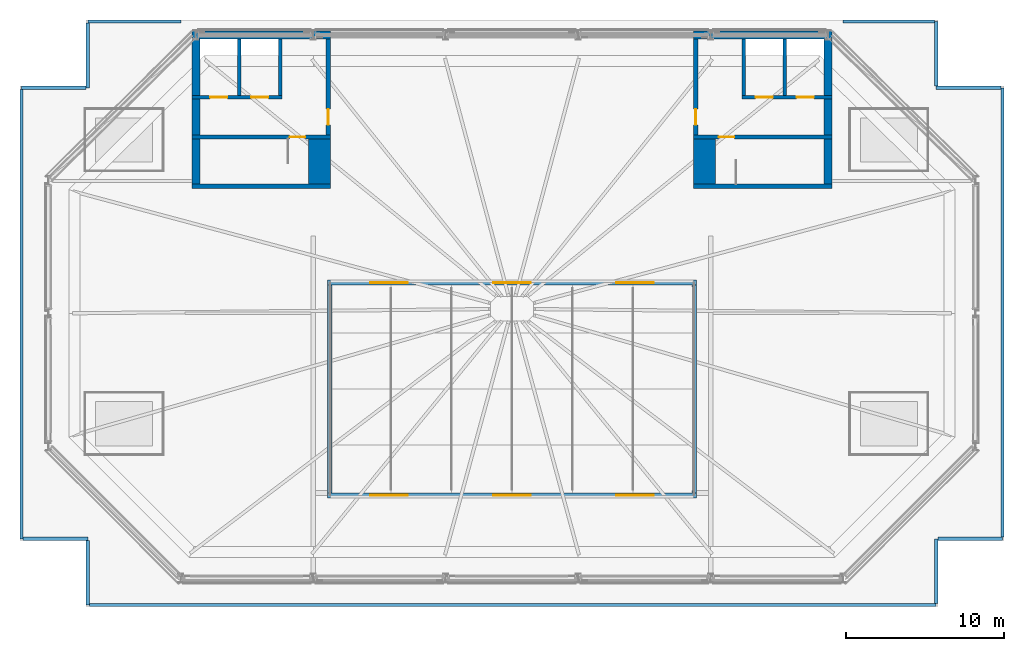
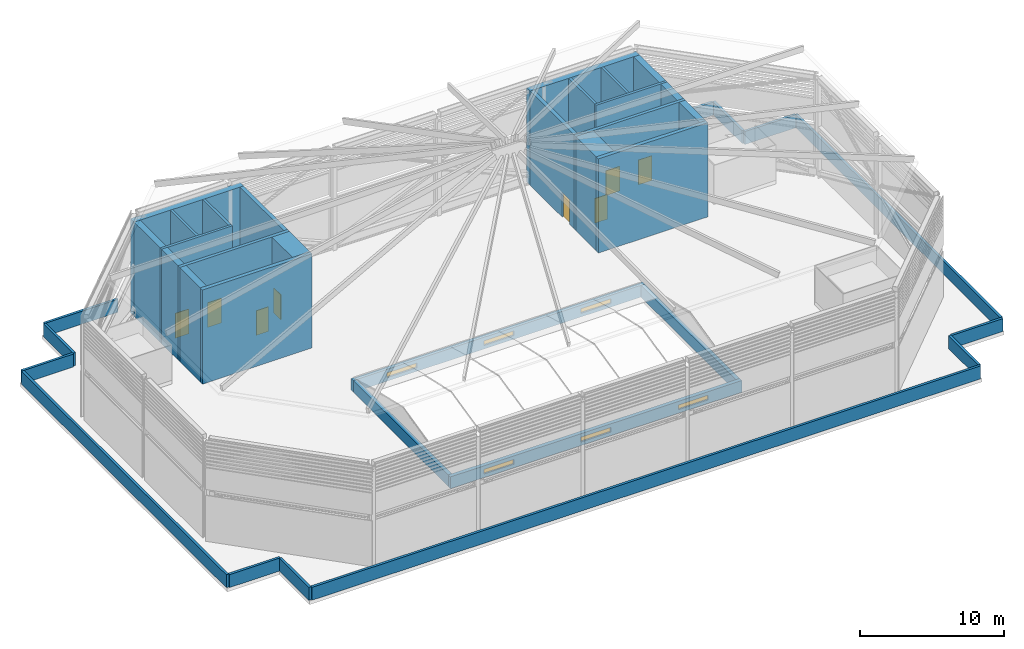
# One storey, part 14 of 22: 39 walls, 8 doors, 6 windows, 14 openings.
"""IFC4 building model written with IfcOpenShell, lengths in metres."""

from ifc_helpers import new_model, si_unit, direction, frame, frame_2d, origin, place, context, subcontext, project, spatial, rectangle, extrude, material, layer, layer_set, type_object, element, fill, save


model = new_model("IFC4")

# Units and contexts
model_context = context("Model", 3, precision=1e-05, world=origin(), true_north=direction((0.0, 1.0)))
body_context = subcontext(model_context, "Body", "Model", "MODEL_VIEW")
ifc_project = project(units=[si_unit("LENGTHUNIT", "METRE"), si_unit("AREAUNIT", "SQUARE_METRE"), si_unit("VOLUMEUNIT", "CUBIC_METRE"), si_unit("PLANEANGLEUNIT", "RADIAN"), si_unit("MASSUNIT", "GRAM", prefix="KILO")], contexts=[model_context])

# Site, building, storey
site_placement = place(None, origin())
site = spatial("IfcSite", under=ifc_project, at=site_placement, CompositionType="ELEMENT")
building_placement = place(site_placement, origin())
building = spatial("IfcBuilding", under=site, at=building_placement, Name="Saffron Gate Tower", CompositionType="ELEMENT")
storey_placement = place(building_placement, frame((0.0, 0.0, 314.85009765625)))
storey = spatial("IfcBuildingStorey", under=building, at=storey_placement, Name="Roof crown", CompositionType="ELEMENT", Elevation=314.85009765625)

# Wall, openings, windows
ifc_material_1 = material(Name="Reinforced concrete C35/45", Category="concrete")
ifc_layer_1 = layer(ifc_material_1, 0.300048828125)
ifc_layer_set_1 = layer_set([ifc_layer_1], Name="CB1 skylight curb")
wall_type_1 = type_object("IfcWallType", Name="CB1 skylight curb", PredefinedType="SOLIDWALL", material=ifc_layer_set_1)
wall_1_placement = place(storey_placement, frame((75.89990234375, 45.449951171875, 0.0), z_axis=(0.0, 0.0, 1.0), x_axis=(1.0, 0.0, 0.0)))
wall_1 = element("IfcWall", 1, at=wall_1_placement, inside=storey, type_object=wall_type_1, Name="SKYLIGHT curb", PredefinedType="SOLIDWALL", context=body_context, shape_type="SweptSolid", body=[
    extrude(rectangle(XDim=23.400146484375, YDim=0.300048828125, at=frame_2d((11.7001953125, 0.0))), origin(), (0.0, 0.0, 1.0), 1.0),
])
opening_1_placement = place(wall_1_placement, frame((2.699951171875, 0.0, 0.300048828125)))
opening_1 = element("IfcOpeningElement", 2, at=opening_1_placement, cuts=wall_1, Name="Opening SK4", PredefinedType="OPENING", context=body_context, shape_type="SweptSolid", body=[
    extrude(rectangle(XDim=2.39990234375, YDim=0.39990234375, at=frame_2d((1.199951171875, 0.199951171875))), frame((0.0, 0.16015625, 0.0), z_axis=(0.0, -1.0, 0.0), x_axis=(1.0, 0.0, 0.0)), (0.0, 0.0, 1.0), 0.320068359375),
])
opening_2_placement = place(wall_1_placement, frame((10.5, 0.0, 0.300048828125)))
opening_2 = element("IfcOpeningElement", 3, at=opening_2_placement, cuts=wall_1, Name="Opening SK4", PredefinedType="OPENING", context=body_context, shape_type="SweptSolid", body=[
    extrude(rectangle(XDim=2.39990234375, YDim=0.39990234375, at=frame_2d((1.199951171875, 0.199951171875))), frame((0.0, 0.16015625, 0.0), z_axis=(0.0, -1.0, 0.0), x_axis=(1.0, 0.0, 0.0)), (0.0, 0.0, 1.0), 0.320068359375),
])
opening_3_placement = place(wall_1_placement, frame((18.300048828125, 0.0, 0.300048828125)))
opening_3 = element("IfcOpeningElement", 4, at=opening_3_placement, cuts=wall_1, Name="Opening SK4", PredefinedType="OPENING", context=body_context, shape_type="SweptSolid", body=[
    extrude(rectangle(XDim=2.39990234375, YDim=0.39990234375, at=frame_2d((1.199951171875, 0.199951171875))), frame((0.0, 0.16015625, 0.0), z_axis=(0.0, -1.0, 0.0), x_axis=(1.0, 0.0, 0.0)), (0.0, 0.0, 1.0), 0.320068359375),
])
ifc_material_2 = material(Name="Clear low-iron laminated glass in bronze frame", Category="glass")
ifc_layer_2 = layer(ifc_material_2, 0.030029296875)
ifc_layer_set_2 = layer_set([ifc_layer_2], Name="SK4 skylight vent")
window_type = type_object("IfcWindowType", Name="SK4 skylight vent", PartitioningType="SINGLE_PANEL", PredefinedType="SKYLIGHT", material=ifc_layer_set_2)
window_1_placement = place(opening_1_placement, origin())
window_1 = element("IfcWindow", 5, at=window_1_placement, inside=storey, type_object=window_type, Name="SKYLIGHT vent", OverallHeight=0.39990234375, OverallWidth=2.39990234375, PartitioningType="SINGLE_PANEL", PredefinedType="SKYLIGHT", context=body_context, shape_type="SweptSolid", body=[
    extrude(rectangle(XDim=2.39990234375, YDim=0.39990234375, at=frame_2d((1.199951171875, 0.199951171875))), frame((0.0, 0.030029296875, 0.0), z_axis=(0.0, -1.0, 0.0), x_axis=(1.0, 0.0, 0.0)), (0.0, 0.0, 1.0), 0.06005859375),
])
fill(opening_1, window_1)
window_2_placement = place(opening_2_placement, origin())
window_2 = element("IfcWindow", 6, at=window_2_placement, inside=storey, type_object=window_type, Name="SKYLIGHT vent", OverallHeight=0.39990234375, OverallWidth=2.39990234375, PartitioningType="SINGLE_PANEL", PredefinedType="SKYLIGHT", context=body_context, shape_type="SweptSolid", body=[
    extrude(rectangle(XDim=2.39990234375, YDim=0.39990234375, at=frame_2d((1.199951171875, 0.199951171875))), frame((0.0, 0.030029296875, 0.0), z_axis=(0.0, -1.0, 0.0), x_axis=(1.0, 0.0, 0.0)), (0.0, 0.0, 1.0), 0.06005859375),
])
fill(opening_2, window_2)
window_3_placement = place(opening_3_placement, origin())
window_3 = element("IfcWindow", 7, at=window_3_placement, inside=storey, type_object=window_type, Name="SKYLIGHT vent", OverallHeight=0.39990234375, OverallWidth=2.39990234375, PartitioningType="SINGLE_PANEL", PredefinedType="SKYLIGHT", context=body_context, shape_type="SweptSolid", body=[
    extrude(rectangle(XDim=2.39990234375, YDim=0.39990234375, at=frame_2d((1.199951171875, 0.199951171875))), frame((0.0, 0.030029296875, 0.0), z_axis=(0.0, -1.0, 0.0), x_axis=(1.0, 0.0, 0.0)), (0.0, 0.0, 1.0), 0.06005859375),
])
fill(opening_3, window_3)

wall_2_placement = place(storey_placement, frame((75.89990234375, 58.949951171875, 0.0), z_axis=(0.0, 0.0, 1.0), x_axis=(1.0, 0.0, 0.0)))
wall_2 = element("IfcWall", 8, at=wall_2_placement, inside=storey, type_object=wall_type_1, Name="SKYLIGHT curb", PredefinedType="SOLIDWALL", context=body_context, shape_type="SweptSolid", body=[
    extrude(rectangle(XDim=23.400146484375, YDim=0.300048828125, at=frame_2d((11.7001953125, 0.0))), origin(), (0.0, 0.0, 1.0), 1.0),
])
opening_4_placement = place(wall_2_placement, frame((2.699951171875, 0.0, 0.300048828125)))
opening_4 = element("IfcOpeningElement", 9, at=opening_4_placement, cuts=wall_2, Name="Opening SK4", PredefinedType="OPENING", context=body_context, shape_type="SweptSolid", body=[
    extrude(rectangle(XDim=2.39990234375, YDim=0.39990234375, at=frame_2d((1.199951171875, 0.199951171875))), frame((0.0, 0.16015625, 0.0), z_axis=(0.0, -1.0, 0.0), x_axis=(1.0, 0.0, 0.0)), (0.0, 0.0, 1.0), 0.320068359375),
])
opening_5_placement = place(wall_2_placement, frame((10.5, 0.0, 0.300048828125)))
opening_5 = element("IfcOpeningElement", 10, at=opening_5_placement, cuts=wall_2, Name="Opening SK4", PredefinedType="OPENING", context=body_context, shape_type="SweptSolid", body=[
    extrude(rectangle(XDim=2.39990234375, YDim=0.39990234375, at=frame_2d((1.199951171875, 0.199951171875))), frame((0.0, 0.16015625, 0.0), z_axis=(0.0, -1.0, 0.0), x_axis=(1.0, 0.0, 0.0)), (0.0, 0.0, 1.0), 0.320068359375),
])
opening_6_placement = place(wall_2_placement, frame((18.300048828125, 0.0, 0.300048828125)))
opening_6 = element("IfcOpeningElement", 11, at=opening_6_placement, cuts=wall_2, Name="Opening SK4", PredefinedType="OPENING", context=body_context, shape_type="SweptSolid", body=[
    extrude(rectangle(XDim=2.39990234375, YDim=0.39990234375, at=frame_2d((1.199951171875, 0.199951171875))), frame((0.0, 0.16015625, 0.0), z_axis=(0.0, -1.0, 0.0), x_axis=(1.0, 0.0, 0.0)), (0.0, 0.0, 1.0), 0.320068359375),
])
window_4_placement = place(opening_4_placement, origin())
window_4 = element("IfcWindow", 12, at=window_4_placement, inside=storey, type_object=window_type, Name="SKYLIGHT vent", OverallHeight=0.39990234375, OverallWidth=2.39990234375, PartitioningType="SINGLE_PANEL", PredefinedType="SKYLIGHT", context=body_context, shape_type="SweptSolid", body=[
    extrude(rectangle(XDim=2.39990234375, YDim=0.39990234375, at=frame_2d((1.199951171875, 0.199951171875))), frame((0.0, 0.030029296875, 0.0), z_axis=(0.0, -1.0, 0.0), x_axis=(1.0, 0.0, 0.0)), (0.0, 0.0, 1.0), 0.06005859375),
])
fill(opening_4, window_4)
window_5_placement = place(opening_5_placement, origin())
window_5 = element("IfcWindow", 13, at=window_5_placement, inside=storey, type_object=window_type, Name="SKYLIGHT vent", OverallHeight=0.39990234375, OverallWidth=2.39990234375, PartitioningType="SINGLE_PANEL", PredefinedType="SKYLIGHT", context=body_context, shape_type="SweptSolid", body=[
    extrude(rectangle(XDim=2.39990234375, YDim=0.39990234375, at=frame_2d((1.199951171875, 0.199951171875))), frame((0.0, 0.030029296875, 0.0), z_axis=(0.0, -1.0, 0.0), x_axis=(1.0, 0.0, 0.0)), (0.0, 0.0, 1.0), 0.06005859375),
])
fill(opening_5, window_5)
window_6_placement = place(opening_6_placement, origin())
window_6 = element("IfcWindow", 14, at=window_6_placement, inside=storey, type_object=window_type, Name="SKYLIGHT vent", OverallHeight=0.39990234375, OverallWidth=2.39990234375, PartitioningType="SINGLE_PANEL", PredefinedType="SKYLIGHT", context=body_context, shape_type="SweptSolid", body=[
    extrude(rectangle(XDim=2.39990234375, YDim=0.39990234375, at=frame_2d((1.199951171875, 0.199951171875))), frame((0.0, 0.030029296875, 0.0), z_axis=(0.0, -1.0, 0.0), x_axis=(1.0, 0.0, 0.0)), (0.0, 0.0, 1.0), 0.06005859375),
])
fill(opening_6, window_6)

# Walls
for number, where, z_axis, x_axis, name in (
    (15, (76.050048828125, 45.60009765625, 0.0), (0.0, 0.0, 1.0), (0.0, 1.0, 0.0), "SKYLIGHT curb"),
    (16, (99.14990234375, 45.60009765625, 0.0), (0.0, 0.0, 1.0), (0.0, 1.0, 0.0), "SKYLIGHT curb"),
):
    element("IfcWall", number, at=place(storey_placement, frame(where, z_axis=z_axis, x_axis=x_axis)), inside=storey, type_object=wall_type_1, Name=name, PredefinedType="SOLIDWALL", context=body_context, shape_type="SweptSolid", body=[
        extrude(rectangle(XDim=13.199951171875, YDim=0.300048828125, at=frame_2d((6.60009765625, 0.0))), origin(), (0.0, 0.0, 1.0), 1.0),
    ])
ifc_material_3 = material(Name="Concrete C50", Category="concrete")
ifc_layer_3 = layer(ifc_material_3, 0.5)
ifc_layer_set_3 = layer_set([ifc_layer_3], Name="CW22 RC core wall 500 C50")
wall_type_2 = type_object("IfcWallType", Name="CW22 RC core wall 500 C50", PredefinedType="SOLIDWALL", material=ifc_layer_set_3)
wall_3_placement = place(storey_placement, frame((67.550048828125, 65.199951171875, 0.0), z_axis=(0.0, 0.0, 1.0), x_axis=(0.0, 1.0, 0.0)))
element("IfcWall", 17, at=wall_3_placement, inside=storey, type_object=wall_type_2, Name="Wall CW22-Roof crown-W-2", PredefinedType="SOLIDWALL", context=body_context, shape_type="SweptSolid", body=[
    extrude(rectangle(XDim=2.85009765625, YDim=0.5, at=frame_2d((1.425048828125, 0.0))), origin(), (0.0, 0.0, 1.0), 8.0),
])
wall_4_placement = place(storey_placement, frame((67.550048828125, 68.300048828125, 0.0), z_axis=(0.0, 0.0, 1.0), x_axis=(0.0, 1.0, 0.0)))
element("IfcWall", 18, at=wall_4_placement, inside=storey, type_object=wall_type_2, Name="Wall CW22-Roof crown-W-5", PredefinedType="SOLIDWALL", context=body_context, shape_type="SweptSolid", body=[
    extrude(rectangle(XDim=2.300048828125, YDim=0.5, at=frame_2d((1.14990234375, 0.0))), origin(), (0.0, 0.0, 1.0), 8.0),
])
wall_5_placement = place(storey_placement, frame((67.550048828125, 70.800048828125, 0.0), z_axis=(0.0, 0.0, 1.0), x_axis=(0.0, 1.0, 0.0)))
element("IfcWall", 19, at=wall_5_placement, inside=storey, type_object=wall_type_2, Name="Wall CW22-Roof crown-W-8", PredefinedType="SOLIDWALL", context=body_context, shape_type="SweptSolid", body=[
    extrude(rectangle(XDim=3.599853515625, YDim=0.5, at=frame_2d((1.7998046875, 0.0))), origin(), (0.0, 0.0, 1.0), 8.0),
])
wall_6_placement = place(storey_placement, frame((67.300048828125, 74.64990234375, 0.0), z_axis=(0.0, 0.0, 1.0), x_axis=(1.0, 0.0, 0.0)))
element("IfcWall", 20, at=wall_6_placement, inside=storey, type_object=wall_type_2, Name="Wall CW22-Roof crown-W-11", PredefinedType="SOLIDWALL", context=body_context, shape_type="SweptSolid", body=[
    extrude(rectangle(XDim=8.800048828125, YDim=0.5, at=frame_2d((4.39990234375, 0.0))), origin(), (0.0, 0.0, 1.0), 8.0),
])
wall_7_placement = place(storey_placement, frame((107.64990234375, 65.199951171875, 0.0), z_axis=(0.0, 0.0, 1.0), x_axis=(0.0, 1.0, 0.0)))
element("IfcWall", 21, at=wall_7_placement, inside=storey, type_object=wall_type_2, Name="Wall CW22-Roof crown-E-3", PredefinedType="SOLIDWALL", context=body_context, shape_type="SweptSolid", body=[
    extrude(rectangle(XDim=2.85009765625, YDim=0.5, at=frame_2d((1.425048828125, 0.0))), origin(), (0.0, 0.0, 1.0), 8.0),
])
wall_8_placement = place(storey_placement, frame((107.64990234375, 68.300048828125, 0.0), z_axis=(0.0, 0.0, 1.0), x_axis=(0.0, 1.0, 0.0)))
element("IfcWall", 22, at=wall_8_placement, inside=storey, type_object=wall_type_2, Name="Wall CW22-Roof crown-E-6", PredefinedType="SOLIDWALL", context=body_context, shape_type="SweptSolid", body=[
    extrude(rectangle(XDim=2.300048828125, YDim=0.5, at=frame_2d((1.14990234375, 0.0))), origin(), (0.0, 0.0, 1.0), 8.0),
])
wall_9_placement = place(storey_placement, frame((107.64990234375, 70.800048828125, 0.0), z_axis=(0.0, 0.0, 1.0), x_axis=(0.0, 1.0, 0.0)))
element("IfcWall", 23, at=wall_9_placement, inside=storey, type_object=wall_type_2, Name="Wall CW22-Roof crown-E-10", PredefinedType="SOLIDWALL", context=body_context, shape_type="SweptSolid", body=[
    extrude(rectangle(XDim=3.599853515625, YDim=0.5, at=frame_2d((1.7998046875, 0.0))), origin(), (0.0, 0.0, 1.0), 8.0),
])
wall_10_placement = place(storey_placement, frame((99.10009765625, 74.64990234375, 0.0), z_axis=(0.0, 0.0, 1.0), x_axis=(1.0, 0.0, 0.0)))
element("IfcWall", 24, at=wall_10_placement, inside=storey, type_object=wall_type_2, Name="Wall CW22-Roof crown-E-11", PredefinedType="SOLIDWALL", context=body_context, shape_type="SweptSolid", body=[
    extrude(rectangle(XDim=8.7998046875, YDim=0.5, at=frame_2d((4.39990234375, 0.0))), origin(), (0.0, 0.0, 1.0), 8.0),
])

# Wall, opening, door
ifc_layer_4 = layer(ifc_material_3, 0.25)
ifc_layer_set_4 = layer_set([ifc_layer_4], Name="CW23 RC core wall 250 C50")
wall_type_3 = type_object("IfcWallType", Name="CW23 RC core wall 250 C50", PredefinedType="SOLIDWALL", material=ifc_layer_set_4)
wall_11_placement = place(storey_placement, frame((67.300048828125, 68.175048828125, 0.0), z_axis=(0.0, 0.0, 1.0), x_axis=(1.0, 0.0, 0.0)))
wall_11 = element("IfcWall", 25, at=wall_11_placement, inside=storey, type_object=wall_type_3, Name="Wall CW23-Roof crown-W-4", PredefinedType="SOLIDWALL", context=body_context, shape_type="SweptSolid", body=[
    extrude(rectangle(XDim=8.800048828125, YDim=0.25, at=frame_2d((4.39990234375, 0.0))), origin(), (0.0, 0.0, 1.0), 8.0),
])
opening_7_placement = place(wall_11_placement, frame((6.199951171875, 0.0, 0.0)))
opening_7 = element("IfcOpeningElement", 26, at=opening_7_placement, cuts=wall_11, Name="Opening CR-11", PredefinedType="OPENING", context=body_context, shape_type="SweptSolid", body=[
    extrude(rectangle(XDim=1.0, YDim=2.10009765625, at=frame_2d((0.5, 1.050048828125))), frame((0.0, 0.135009765625, 0.0), z_axis=(0.0, -1.0, 0.0), x_axis=(1.0, 0.0, 0.0)), (0.0, 0.0, 1.0), 0.27001953125),
])
ifc_material_4 = material(Name="Steel fire door set", Category="steel")
door_type_1 = type_object("IfcDoorType", Name="CD5 Stair door 1000x2100 EI 120", OperationType="NOTDEFINED", PredefinedType="DOOR", material=ifc_material_4)
door_1_placement = place(opening_7_placement, origin())
door_1 = element("IfcDoor", 27, at=door_1_placement, inside=storey, type_object=door_type_1, Name="DOOR CR-11", OperationType="SINGLE_SWING_RIGHT", OverallHeight=2.10009765625, OverallWidth=1.0, PredefinedType="DOOR", context=body_context, shape_type="SweptSolid", body=[
    extrude(rectangle(XDim=1.0, YDim=2.10009765625, at=frame_2d((0.5, 1.050048828125))), frame((0.0, 0.02490234375, 0.0), z_axis=(0.0, -1.0, 0.0), x_axis=(1.0, 0.0, 0.0)), (0.0, 0.0, 1.0), 0.050048828125),
])
fill(opening_7, door_1)

wall_12_placement = place(storey_placement, frame((99.10009765625, 68.175048828125, 0.0), z_axis=(0.0, 0.0, 1.0), x_axis=(1.0, 0.0, 0.0)))
wall_12 = element("IfcWall", 28, at=wall_12_placement, inside=storey, type_object=wall_type_3, Name="Wall CW23-Roof crown-E-4", PredefinedType="SOLIDWALL", context=body_context, shape_type="SweptSolid", body=[
    extrude(rectangle(XDim=8.7998046875, YDim=0.25, at=frame_2d((4.39990234375, 0.0))), origin(), (0.0, 0.0, 1.0), 8.0),
])
opening_8_placement = place(wall_12_placement, frame((1.60009765625, 0.0, 0.0)))
opening_8 = element("IfcOpeningElement", 29, at=opening_8_placement, cuts=wall_12, Name="Opening CR-12", PredefinedType="OPENING", context=body_context, shape_type="SweptSolid", body=[
    extrude(rectangle(XDim=1.0, YDim=2.10009765625, at=frame_2d((0.5, 1.050048828125))), frame((0.0, 0.135009765625, 0.0), z_axis=(0.0, -1.0, 0.0), x_axis=(1.0, 0.0, 0.0)), (0.0, 0.0, 1.0), 0.27001953125),
])
door_2_placement = place(opening_8_placement, origin())
door_2 = element("IfcDoor", 30, at=door_2_placement, inside=storey, type_object=door_type_1, Name="DOOR CR-12", OperationType="SINGLE_SWING_RIGHT", OverallHeight=2.10009765625, OverallWidth=1.0, PredefinedType="DOOR", context=body_context, shape_type="SweptSolid", body=[
    extrude(rectangle(XDim=1.0, YDim=2.10009765625, at=frame_2d((0.5, 1.050048828125))), frame((0.0, 0.02490234375, 0.0), z_axis=(0.0, -1.0, 0.0), x_axis=(1.0, 0.0, 0.0)), (0.0, 0.0, 1.0), 0.050048828125),
])
fill(opening_8, door_2)

# Wall, openings, doors
ifc_layer_5 = layer(ifc_material_3, 0.199951171875)
ifc_layer_set_5 = layer_set([ifc_layer_5], Name="CW25 RC core wall 200 C50")
wall_type_4 = type_object("IfcWallType", Name="CW25 RC core wall 200 C50", PredefinedType="SOLIDWALL", material=ifc_layer_set_5)
wall_13_placement = place(storey_placement, frame((67.300048828125, 70.699951171875, 0.0), z_axis=(0.0, 0.0, 1.0), x_axis=(1.0, 0.0, 0.0)))
wall_13 = element("IfcWall", 31, at=wall_13_placement, inside=storey, type_object=wall_type_4, Name="Wall CW25-Roof crown-W-7", PredefinedType="SOLIDWALL", context=body_context, shape_type="SweptSolid", body=[
    extrude(rectangle(XDim=5.699951171875, YDim=0.199951171875, at=frame_2d((2.85009765625, 0.0))), origin(), (0.0, 0.0, 1.0), 8.0),
])
opening_9_placement = place(wall_13_placement, frame((1.14990234375, 0.0, 0.0)))
opening_9 = element("IfcOpeningElement", 32, at=opening_9_placement, cuts=wall_13, Name="Opening LD-FF1", PredefinedType="OPENING", context=body_context, shape_type="SweptSolid", body=[
    extrude(rectangle(XDim=1.10009765625, YDim=2.10009765625, at=frame_2d((0.550048828125, 1.050048828125))), frame((0.0, 0.10986328125, 0.0), z_axis=(0.0, -1.0, 0.0), x_axis=(1.0, 0.0, 0.0)), (0.0, 0.0, 1.0), 0.219970703125),
])
opening_10_placement = place(wall_13_placement, frame((3.75, 0.0, 0.0)))
opening_10 = element("IfcOpeningElement", 33, at=opening_10_placement, cuts=wall_13, Name="Opening LD-SV1", PredefinedType="OPENING", context=body_context, shape_type="SweptSolid", body=[
    extrude(rectangle(XDim=1.10009765625, YDim=2.10009765625, at=frame_2d((0.550048828125, 1.050048828125))), frame((0.0, 0.10986328125, 0.0), z_axis=(0.0, -1.0, 0.0), x_axis=(1.0, 0.0, 0.0)), (0.0, 0.0, 1.0), 0.219970703125),
])
ifc_material_5 = material(Name="Stainless steel landing door", Category="steel")
door_type_2 = type_object("IfcDoorType", Name="LD Lift landing door 1100x2100 EI 120", OperationType="SLIDING_TO_LEFT", PredefinedType="DOOR", material=ifc_material_5)
door_3_placement = place(opening_9_placement, origin())
door_3 = element("IfcDoor", 34, at=door_3_placement, inside=storey, type_object=door_type_2, Name="LANDING DOOR LD-FF1", OperationType="SLIDING_TO_RIGHT", OverallHeight=2.10009765625, OverallWidth=1.10009765625, PredefinedType="DOOR", context=body_context, shape_type="SweptSolid", body=[
    extrude(rectangle(XDim=1.10009765625, YDim=2.10009765625, at=frame_2d((0.550048828125, 1.050048828125))), frame((0.0, 0.02490234375, 0.0), z_axis=(0.0, -1.0, 0.0), x_axis=(1.0, 0.0, 0.0)), (0.0, 0.0, 1.0), 0.050048828125),
])
fill(opening_9, door_3)
door_4_placement = place(opening_10_placement, origin())
door_4 = element("IfcDoor", 35, at=door_4_placement, inside=storey, type_object=door_type_2, Name="LANDING DOOR LD-SV1", OperationType="SLIDING_TO_RIGHT", OverallHeight=2.10009765625, OverallWidth=1.10009765625, PredefinedType="DOOR", context=body_context, shape_type="SweptSolid", body=[
    extrude(rectangle(XDim=1.10009765625, YDim=2.10009765625, at=frame_2d((0.550048828125, 1.050048828125))), frame((0.0, 0.02490234375, 0.0), z_axis=(0.0, -1.0, 0.0), x_axis=(1.0, 0.0, 0.0)), (0.0, 0.0, 1.0), 0.050048828125),
])
fill(opening_10, door_4)

# Walls
for number, where, z_axis, x_axis, name in (
    (36, (70.300048828125, 70.800048828125, 0.0), (0.0, 0.0, 1.0), (0.0, 1.0, 0.0), "Wall CW25-Roof crown-W-9"),
    (37, (72.89990234375, 70.800048828125, 0.0), (0.0, 0.0, 1.0), (0.0, 1.0, 0.0), "Wall CW25-Roof crown-W-10"),
):
    element("IfcWall", number, at=place(storey_placement, frame(where, z_axis=z_axis, x_axis=x_axis)), inside=storey, type_object=wall_type_4, Name=name, PredefinedType="SOLIDWALL", context=body_context, shape_type="SweptSolid", body=[
        extrude(rectangle(XDim=3.599853515625, YDim=0.199951171875, at=frame_2d((1.7998046875, 0.0))), origin(), (0.0, 0.0, 1.0), 8.0),
    ])

# Wall, openings, doors
wall_14_placement = place(storey_placement, frame((102.199951171875, 70.699951171875, 0.0), z_axis=(0.0, 0.0, 1.0), x_axis=(1.0, 0.0, 0.0)))
wall_14 = element("IfcWall", 38, at=wall_14_placement, inside=storey, type_object=wall_type_4, Name="Wall CW25-Roof crown-E-7", PredefinedType="SOLIDWALL", context=body_context, shape_type="SweptSolid", body=[
    extrude(rectangle(XDim=5.699951171875, YDim=0.199951171875, at=frame_2d((2.85009765625, 0.0))), origin(), (0.0, 0.0, 1.0), 8.0),
])
opening_11_placement = place(wall_14_placement, frame((0.85009765625, 0.0, 0.0)))
opening_11 = element("IfcOpeningElement", 39, at=opening_11_placement, cuts=wall_14, Name="Opening LD-SV2", PredefinedType="OPENING", context=body_context, shape_type="SweptSolid", body=[
    extrude(rectangle(XDim=1.10009765625, YDim=2.10009765625, at=frame_2d((0.550048828125, 1.050048828125))), frame((0.0, 0.10986328125, 0.0), z_axis=(0.0, -1.0, 0.0), x_axis=(1.0, 0.0, 0.0)), (0.0, 0.0, 1.0), 0.219970703125),
])
opening_12_placement = place(wall_14_placement, frame((3.449951171875, 0.0, 0.0)))
opening_12 = element("IfcOpeningElement", 40, at=opening_12_placement, cuts=wall_14, Name="Opening LD-FF2", PredefinedType="OPENING", context=body_context, shape_type="SweptSolid", body=[
    extrude(rectangle(XDim=1.10009765625, YDim=2.10009765625, at=frame_2d((0.550048828125, 1.050048828125))), frame((0.0, 0.10986328125, 0.0), z_axis=(0.0, -1.0, 0.0), x_axis=(1.0, 0.0, 0.0)), (0.0, 0.0, 1.0), 0.219970703125),
])
door_5_placement = place(opening_11_placement, origin())
door_5 = element("IfcDoor", 41, at=door_5_placement, inside=storey, type_object=door_type_2, Name="LANDING DOOR LD-SV2", OperationType="SLIDING_TO_RIGHT", OverallHeight=2.10009765625, OverallWidth=1.10009765625, PredefinedType="DOOR", context=body_context, shape_type="SweptSolid", body=[
    extrude(rectangle(XDim=1.10009765625, YDim=2.10009765625, at=frame_2d((0.550048828125, 1.050048828125))), frame((0.0, 0.02490234375, 0.0), z_axis=(0.0, -1.0, 0.0), x_axis=(1.0, 0.0, 0.0)), (0.0, 0.0, 1.0), 0.050048828125),
])
fill(opening_11, door_5)
door_6_placement = place(opening_12_placement, origin())
door_6 = element("IfcDoor", 42, at=door_6_placement, inside=storey, type_object=door_type_2, Name="LANDING DOOR LD-FF2", OperationType="SLIDING_TO_RIGHT", OverallHeight=2.10009765625, OverallWidth=1.10009765625, PredefinedType="DOOR", context=body_context, shape_type="SweptSolid", body=[
    extrude(rectangle(XDim=1.10009765625, YDim=2.10009765625, at=frame_2d((0.550048828125, 1.050048828125))), frame((0.0, 0.02490234375, 0.0), z_axis=(0.0, -1.0, 0.0), x_axis=(1.0, 0.0, 0.0)), (0.0, 0.0, 1.0), 0.050048828125),
])
fill(opening_12, door_6)

# Walls
for number, where, z_axis, x_axis, name in (
    (43, (102.300048828125, 70.800048828125, 0.0), (0.0, 0.0, 1.0), (0.0, 1.0, 0.0), "Wall CW25-Roof crown-E-8"),
    (44, (104.89990234375, 70.800048828125, 0.0), (0.0, 0.0, 1.0), (0.0, 1.0, 0.0), "Wall CW25-Roof crown-E-9"),
):
    element("IfcWall", number, at=place(storey_placement, frame(where, z_axis=z_axis, x_axis=x_axis)), inside=storey, type_object=wall_type_4, Name=name, PredefinedType="SOLIDWALL", context=body_context, shape_type="SweptSolid", body=[
        extrude(rectangle(XDim=3.599853515625, YDim=0.199951171875, at=frame_2d((1.7998046875, 0.0))), origin(), (0.0, 0.0, 1.0), 8.0),
    ])
ifc_layer_6 = layer(ifc_material_3, 0.300048828125)
ifc_layer_set_6 = layer_set([ifc_layer_6], Name="CW26 RC core wall 300 C50")
wall_type_5 = type_object("IfcWallType", Name="CW26 RC core wall 300 C50", PredefinedType="SOLIDWALL", material=ifc_layer_set_6)
wall_15_placement = place(storey_placement, frame((67.300048828125, 65.050048828125, 0.0), z_axis=(0.0, 0.0, 1.0), x_axis=(1.0, 0.0, 0.0)))
element("IfcWall", 45, at=wall_15_placement, inside=storey, type_object=wall_type_5, Name="Wall CW26-Roof crown-W-1", PredefinedType="SOLIDWALL", context=body_context, shape_type="SweptSolid", body=[
    extrude(rectangle(XDim=8.800048828125, YDim=0.300048828125, at=frame_2d((4.39990234375, 0.0))), origin(), (0.0, 0.0, 1.0), 8.0),
])

# Wall, opening, door
wall_16_placement = place(storey_placement, frame((75.949951171875, 68.300048828125, 0.0), z_axis=(0.0, 0.0, 1.0), x_axis=(0.0, 1.0, 0.0)))
wall_16 = element("IfcWall", 46, at=wall_16_placement, inside=storey, type_object=wall_type_5, Name="Wall CW26-Roof crown-W-6", PredefinedType="SOLIDWALL", context=body_context, shape_type="SweptSolid", body=[
    extrude(rectangle(XDim=6.099853515625, YDim=0.300048828125, at=frame_2d((3.0498046875, 0.0))), origin(), (0.0, 0.0, 1.0), 8.0),
])
opening_13_placement = place(wall_16_placement, frame((0.64990234375, 0.0, 0.0)))
opening_13 = element("IfcOpeningElement", 47, at=opening_13_placement, cuts=wall_16, Name="Opening CR-14", PredefinedType="OPENING", context=body_context, shape_type="SweptSolid", body=[
    extrude(rectangle(XDim=1.0, YDim=2.10009765625, at=frame_2d((0.5, 1.050048828125))), frame((0.0, 0.16015625, 0.0), z_axis=(0.0, -1.0, 0.0), x_axis=(1.0, 0.0, 0.0)), (0.0, 0.0, 1.0), 0.320068359375),
])
door_type_3 = type_object("IfcDoorType", Name="CD11 Core entrance door 1000x2100 EI 120", OperationType="NOTDEFINED", PredefinedType="DOOR", material=ifc_material_4)
door_7_placement = place(opening_13_placement, origin())
door_7 = element("IfcDoor", 48, at=door_7_placement, inside=storey, type_object=door_type_3, Name="DOOR CR-14", OperationType="SINGLE_SWING_RIGHT", OverallHeight=2.10009765625, OverallWidth=1.0, PredefinedType="DOOR", context=body_context, shape_type="SweptSolid", body=[
    extrude(rectangle(XDim=1.0, YDim=2.10009765625, at=frame_2d((0.5, 1.050048828125))), frame((0.0, 0.02490234375, 0.0), z_axis=(0.0, -1.0, 0.0), x_axis=(1.0, 0.0, 0.0)), (0.0, 0.0, 1.0), 0.050048828125),
])
fill(opening_13, door_7)

# Wall
wall_17_placement = place(storey_placement, frame((99.10009765625, 65.050048828125, 0.0), z_axis=(0.0, 0.0, 1.0), x_axis=(1.0, 0.0, 0.0)))
element("IfcWall", 49, at=wall_17_placement, inside=storey, type_object=wall_type_5, Name="Wall CW26-Roof crown-E-1", PredefinedType="SOLIDWALL", context=body_context, shape_type="SweptSolid", body=[
    extrude(rectangle(XDim=8.7998046875, YDim=0.300048828125, at=frame_2d((4.39990234375, 0.0))), origin(), (0.0, 0.0, 1.0), 8.0),
])

# Wall, opening, door
wall_18_placement = place(storey_placement, frame((99.25, 68.300048828125, 0.0), z_axis=(0.0, 0.0, 1.0), x_axis=(0.0, 1.0, 0.0)))
wall_18 = element("IfcWall", 50, at=wall_18_placement, inside=storey, type_object=wall_type_5, Name="Wall CW26-Roof crown-E-5", PredefinedType="SOLIDWALL", context=body_context, shape_type="SweptSolid", body=[
    extrude(rectangle(XDim=6.099853515625, YDim=0.300048828125, at=frame_2d((3.0498046875, 0.0))), origin(), (0.0, 0.0, 1.0), 8.0),
])
opening_14_placement = place(wall_18_placement, frame((0.64990234375, 0.0, 0.0)))
opening_14 = element("IfcOpeningElement", 51, at=opening_14_placement, cuts=wall_18, Name="Opening CR-13", PredefinedType="OPENING", context=body_context, shape_type="SweptSolid", body=[
    extrude(rectangle(XDim=1.0, YDim=2.10009765625, at=frame_2d((0.5, 1.050048828125))), frame((0.0, 0.16015625, 0.0), z_axis=(0.0, -1.0, 0.0), x_axis=(1.0, 0.0, 0.0)), (0.0, 0.0, 1.0), 0.320068359375),
])
door_8_placement = place(opening_14_placement, origin())
door_8 = element("IfcDoor", 52, at=door_8_placement, inside=storey, type_object=door_type_3, Name="DOOR CR-13", OperationType="SINGLE_SWING_LEFT", OverallHeight=2.10009765625, OverallWidth=1.0, PredefinedType="DOOR", context=body_context, shape_type="SweptSolid", body=[
    extrude(rectangle(XDim=1.0, YDim=2.10009765625, at=frame_2d((0.5, 1.050048828125))), frame((0.0, 0.02490234375, 0.0), z_axis=(0.0, -1.0, 0.0), x_axis=(1.0, 0.0, 0.0)), (0.0, 0.0, 1.0), 0.050048828125),
])
fill(opening_14, door_8)

# Walls
ifc_layer_7 = layer(ifc_material_3, 1.39990234375)
ifc_layer_set_7 = layer_set([ifc_layer_7], Name="CW31 RC core wall 1400 C50")
wall_type_6 = type_object("IfcWallType", Name="CW31 RC core wall 1400 C50", PredefinedType="SOLIDWALL", material=ifc_layer_set_7)
for number, where, z_axis, x_axis, name in (
    (53, (75.39990234375, 65.199951171875, 0.0), (0.0, 0.0, 1.0), (0.0, 1.0, 0.0), "Wall CW31-Roof crown-W-3"),
    (54, (99.800048828125, 65.199951171875, 0.0), (0.0, 0.0, 1.0), (0.0, 1.0, 0.0), "Wall CW31-Roof crown-E-2"),
):
    element("IfcWall", number, at=place(storey_placement, frame(where, z_axis=z_axis, x_axis=x_axis)), inside=storey, type_object=wall_type_6, Name=name, PredefinedType="SOLIDWALL", context=body_context, shape_type="SweptSolid", body=[
        extrude(rectangle(XDim=2.85009765625, YDim=1.39990234375, at=frame_2d((1.425048828125, 0.0))), origin(), (0.0, 0.0, 1.0), 8.0),
    ])
ifc_material_6 = material(Name="Reinforced concrete C35/45, rendered", Category="concrete")
ifc_layer_8 = layer(ifc_material_6, 0.199951171875)
ifc_layer_set_8 = layer_set([ifc_layer_8], Name="RP1 roof parapet 200")
wall_type_7 = type_object("IfcWallType", Name="RP1 roof parapet 200", PredefinedType="PARAPET", material=ifc_layer_set_8)
wall_19_placement = place(storey_placement, frame((60.800048828125, 38.5, 0.0), z_axis=(0.0, 0.0, 1.0), x_axis=(1.0, 0.0, 0.0)))
element("IfcWall", 55, at=wall_19_placement, inside=storey, type_object=wall_type_7, Name="ROOF PARAPET", PredefinedType="PARAPET", context=body_context, shape_type="SweptSolid", body=[
    extrude(rectangle(XDim=53.699951171875, YDim=0.199951171875, at=frame_2d((26.85009765625, 0.0))), origin(), (0.0, 0.0, 1.0), 1.099853515625),
])
for number, where, z_axis, x_axis, name in (
    (56, (114.5, 38.60009765625, 0.0), (0.0, 0.0, 1.0), (0.0, 1.0, 0.0), "ROOF PARAPET"),
    (57, (114.60009765625, 42.699951171875, 0.0), (0.0, 0.0, 1.0), (1.0, 0.0, 0.0), "ROOF PARAPET"),
):
    element("IfcWall", number, at=place(storey_placement, frame(where, z_axis=z_axis, x_axis=x_axis)), inside=storey, type_object=wall_type_7, Name=name, PredefinedType="PARAPET", context=body_context, shape_type="SweptSolid", body=[
        extrude(rectangle(XDim=4.099853515625, YDim=0.199951171875, at=frame_2d((2.0498046875, 0.0))), origin(), (0.0, 0.0, 1.0), 1.099853515625),
    ])
wall_20_placement = place(storey_placement, frame((118.699951171875, 42.800048828125, 0.0), z_axis=(0.0, 0.0, 1.0), x_axis=(0.0, 1.0, 0.0)))
element("IfcWall", 58, at=wall_20_placement, inside=storey, type_object=wall_type_7, Name="ROOF PARAPET", PredefinedType="PARAPET", context=body_context, shape_type="SweptSolid", body=[
    extrude(rectangle(XDim=28.5, YDim=0.199951171875, at=frame_2d((14.25, 0.0))), origin(), (0.0, 0.0, 1.0), 1.099853515625),
])
for number, where, z_axis, x_axis, name in (
    (59, (118.60009765625, 71.300048828125, 0.0), (0.0, 0.0, 1.0), (-1.0, 0.0, 0.0), "ROOF PARAPET"),
    (60, (114.5, 71.39990234375, 0.0), (0.0, 0.0, 1.0), (0.0, 1.0, 0.0), "ROOF PARAPET"),
):
    element("IfcWall", number, at=place(storey_placement, frame(where, z_axis=z_axis, x_axis=x_axis)), inside=storey, type_object=wall_type_7, Name=name, PredefinedType="PARAPET", context=body_context, shape_type="SweptSolid", body=[
        extrude(rectangle(XDim=4.10009765625, YDim=0.199951171875, at=frame_2d((2.050048828125, 0.0))), origin(), (0.0, 0.0, 1.0), 1.099853515625),
    ])
wall_21_placement = place(storey_placement, frame((114.39990234375, 75.5, 0.0), z_axis=(0.0, 0.0, 1.0), x_axis=(-1.0, 0.0, 0.0)))
element("IfcWall", 61, at=wall_21_placement, inside=storey, type_object=wall_type_7, Name="ROOF PARAPET", PredefinedType="PARAPET", context=body_context, shape_type="SweptSolid", body=[
    extrude(rectangle(XDim=5.7998046875, YDim=0.199951171875, at=frame_2d((2.89990234375, 0.0))), origin(), (0.0, 0.0, 1.0), 1.099853515625),
])
wall_22_placement = place(storey_placement, frame((66.60009765625, 75.5, 0.0), z_axis=(0.0, 0.0, 1.0), x_axis=(-1.0, 0.0, 0.0)))
element("IfcWall", 62, at=wall_22_placement, inside=storey, type_object=wall_type_7, Name="ROOF PARAPET", PredefinedType="PARAPET", context=body_context, shape_type="SweptSolid", body=[
    extrude(rectangle(XDim=5.900146484375, YDim=0.199951171875, at=frame_2d((2.9501953125, 0.0))), origin(), (0.0, 0.0, 1.0), 1.099853515625),
])
wall_23_placement = place(storey_placement, frame((60.699951171875, 75.39990234375, 0.0), z_axis=(0.0, 0.0, 1.0), x_axis=(0.0, -1.0, 0.0)))
element("IfcWall", 63, at=wall_23_placement, inside=storey, type_object=wall_type_7, Name="ROOF PARAPET", PredefinedType="PARAPET", context=body_context, shape_type="SweptSolid", body=[
    extrude(rectangle(XDim=4.099853515625, YDim=0.199951171875, at=frame_2d((2.0498046875, 0.0))), origin(), (0.0, 0.0, 1.0), 1.099853515625),
])
wall_24_placement = place(storey_placement, frame((60.60009765625, 71.300048828125, 0.0), z_axis=(0.0, 0.0, 1.0), x_axis=(-1.0, 0.0, 0.0)))
element("IfcWall", 64, at=wall_24_placement, inside=storey, type_object=wall_type_7, Name="ROOF PARAPET", PredefinedType="PARAPET", context=body_context, shape_type="SweptSolid", body=[
    extrude(rectangle(XDim=4.10009765625, YDim=0.199951171875, at=frame_2d((2.050048828125, 0.0))), origin(), (0.0, 0.0, 1.0), 1.099853515625),
])
wall_25_placement = place(storey_placement, frame((56.5, 71.199951171875, 0.0), z_axis=(0.0, 0.0, 1.0), x_axis=(0.0, -1.0, 0.0)))
element("IfcWall", 65, at=wall_25_placement, inside=storey, type_object=wall_type_7, Name="ROOF PARAPET", PredefinedType="PARAPET", context=body_context, shape_type="SweptSolid", body=[
    extrude(rectangle(XDim=28.5, YDim=0.199951171875, at=frame_2d((14.25, 0.0))), origin(), (0.0, 0.0, 1.0), 1.099853515625),
])
wall_26_placement = place(storey_placement, frame((56.60009765625, 42.699951171875, 0.0), z_axis=(0.0, 0.0, 1.0), x_axis=(1.0, 0.0, 0.0)))
element("IfcWall", 66, at=wall_26_placement, inside=storey, type_object=wall_type_7, Name="ROOF PARAPET", PredefinedType="PARAPET", context=body_context, shape_type="SweptSolid", body=[
    extrude(rectangle(XDim=4.099853515625, YDim=0.199951171875, at=frame_2d((2.0498046875, 0.0))), origin(), (0.0, 0.0, 1.0), 1.099853515625),
])
wall_27_placement = place(storey_placement, frame((60.699951171875, 42.60009765625, 0.0), z_axis=(0.0, 0.0, 1.0), x_axis=(0.0, -1.0, 0.0)))
element("IfcWall", 67, at=wall_27_placement, inside=storey, type_object=wall_type_7, Name="ROOF PARAPET", PredefinedType="PARAPET", context=body_context, shape_type="SweptSolid", body=[
    extrude(rectangle(XDim=4.10009765625, YDim=0.199951171875, at=frame_2d((2.050048828125, 0.0))), origin(), (0.0, 0.0, 1.0), 1.099853515625),
])

save(model, "model.ifc")
